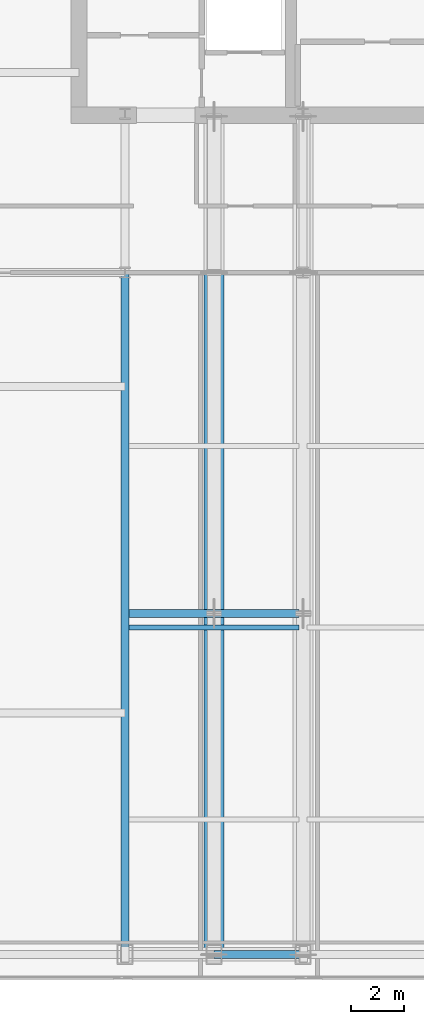
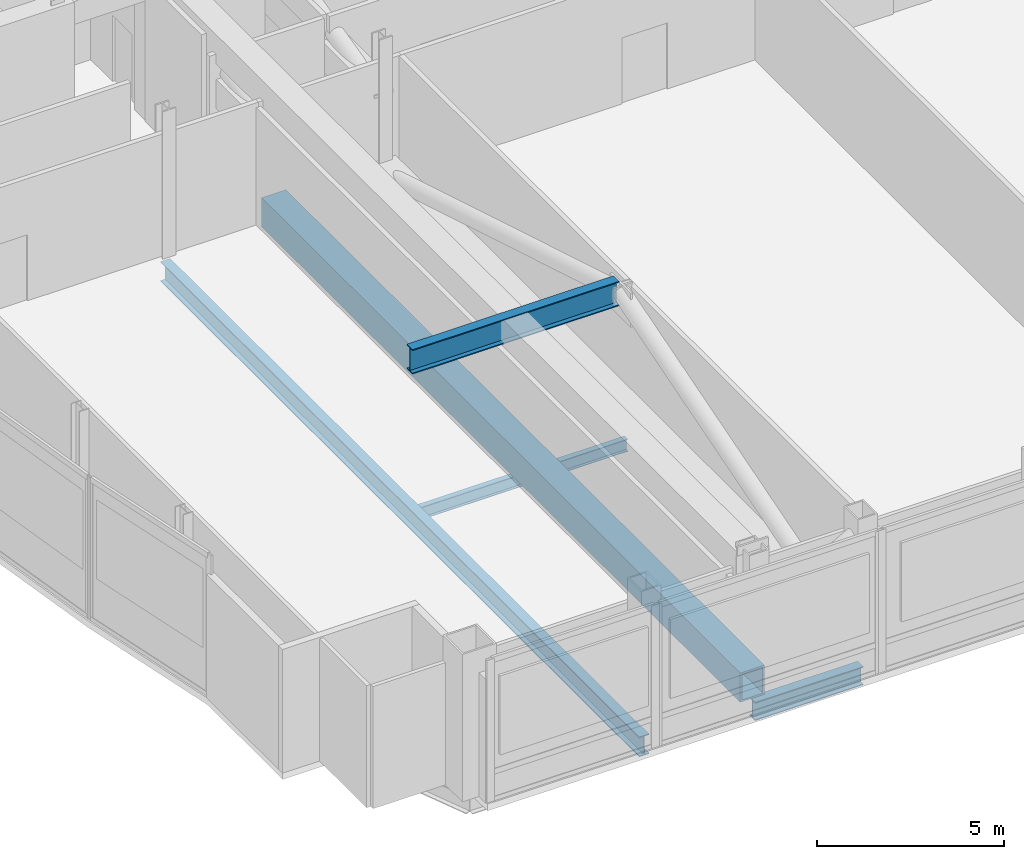
# One storey, part 8 of 32: 4 beams, 1 member.
"""IFC4 building model written with IfcOpenShell, lengths in metres."""

from ifc_helpers import new_model, si_unit, direction, frame, origin, origin_2d, place, context, subcontext, project, spatial, hollow_rectangle, i_section, extrude, material, material_profile, profile_set, type_object, element, save


model = new_model("IFC4")

# Units and contexts
model_context = context("Model", 3, precision=1e-05, world=origin(), true_north=direction((0.0, 1.0)))
body_context = subcontext(model_context, "Body", "Model", "MODEL_VIEW")
ifc_project = project(units=[si_unit("LENGTHUNIT", "METRE"), si_unit("AREAUNIT", "SQUARE_METRE"), si_unit("VOLUMEUNIT", "CUBIC_METRE"), si_unit("PLANEANGLEUNIT", "RADIAN"), si_unit("MASSUNIT", "GRAM", prefix="KILO")], contexts=[model_context])

# Site, building, storey
site_placement = place(None, origin())
site = spatial("IfcSite", under=ifc_project, at=site_placement, CompositionType="ELEMENT")
building_placement = place(site_placement, origin())
building = spatial("IfcBuilding", under=site, at=building_placement, Name="Khoronbel Lancet Exchange", CompositionType="ELEMENT")
storey_placement = place(building_placement, frame((0.0, 0.0, 257.0)))
storey = spatial("IfcBuildingStorey", under=building, at=storey_placement, Name="L66", CompositionType="ELEMENT", Elevation=257.0)

# Beams
ifc_material_1 = material(Name="Steel S355", Category="steel")
ifc_material_profile_1 = material_profile(ifc_material_1, i_section(OverallWidth=0.300048828125, OverallDepth=0.800048828125, WebThickness=0.017578125, FlangeThickness=0.032958984375, at=origin_2d()), Name="HEB 800")
ifc_profile_set_1 = profile_set([ifc_material_profile_1], Name="Steel S355")
beam_type_1 = type_object("IfcBeamType", Name="BM-BG2", PredefinedType="BEAM", material=ifc_profile_set_1)
beam_1_placement = place(storey_placement, frame((18.375, 22.925048828125, 4.239990234375), z_axis=(1.0, 0.0, 0.0), x_axis=(0.0, 1.0, 0.0)))
element("IfcBeam", 1, at=beam_1_placement, inside=storey, type_object=beam_type_1, Name="Outrigger apex collector beam L66-W", PredefinedType="BEAM", context=body_context, shape_type="SweptSolid", body=[
    extrude(i_section(OverallWidth=0.300048828125, OverallDepth=0.800048828125, WebThickness=0.017578125, FlangeThickness=0.032958984375, at=origin_2d()), origin(), (0.0, 0.0, 1.0), 6.375),
])
ifc_material_profile_2 = material_profile(ifc_material_1, i_section(OverallWidth=0.300048828125, OverallDepth=0.64990234375, WebThickness=0.01611328125, FlangeThickness=0.031005859375, at=origin_2d()), Name="HEB 650")
ifc_profile_set_2 = profile_set([ifc_material_profile_2], Name="Steel S355")
beam_type_2 = type_object("IfcBeamType", Name="BM-BG4", PredefinedType="BEAM", material=ifc_profile_set_2)
beam_2_placement = place(storey_placement, frame((18.22509765625, 10.14990234375, -0.544921875), z_axis=(0.0, 1.0, 0.0), x_axis=(-1.0, 0.0, 0.0)))
element("IfcBeam", 2, at=beam_2_placement, inside=storey, type_object=beam_type_2, Name="Level L66 south primary girder GS1", PredefinedType="BEAM", context=body_context, shape_type="SweptSolid", body=[
    extrude(i_section(OverallWidth=0.300048828125, OverallDepth=0.64990234375, WebThickness=0.01611328125, FlangeThickness=0.031005859375, at=origin_2d()), origin(), (0.0, 0.0, 1.0), 25.550048828125),
])
ifc_material_profile_3 = material_profile(ifc_material_1, i_section(OverallWidth=0.179931640625, OverallDepth=0.39990234375, WebThickness=0.008544921875, FlangeThickness=0.013427734375, at=origin_2d()), Name="IPE 400")
ifc_profile_set_3 = profile_set([ifc_material_profile_3], Name="Steel S355")
beam_type_3 = type_object("IfcBeamType", Name="BM-BJ5", PredefinedType="JOIST", material=ifc_profile_set_3)
beam_3_placement = place(storey_placement, frame((18.375, 22.39990234375, -0.419921875), z_axis=(1.0, 0.0, 0.0), x_axis=(0.0, 1.0, 0.0)))
element("IfcBeam", 3, at=beam_3_placement, inside=storey, type_object=beam_type_3, Name="Level L66 secondary composite joist J06", PredefinedType="JOIST", context=body_context, shape_type="SweptSolid", body=[
    extrude(i_section(OverallWidth=0.179931640625, OverallDepth=0.39990234375, WebThickness=0.008544921875, FlangeThickness=0.013427734375, at=origin_2d()), origin(), (0.0, 0.0, 1.0), 6.375),
])
ifc_material_profile_4 = material_profile(ifc_material_1, i_section(OverallWidth=0.300048828125, OverallDepth=0.60009765625, WebThickness=0.015380859375, FlangeThickness=0.030029296875, at=origin_2d()), Name="HEB 600")
ifc_profile_set_4 = profile_set([ifc_material_profile_4], Name="Steel S355")
beam_type_4 = type_object("IfcBeamType", Name="BM-BSP2", PredefinedType="SPANDREL", material=ifc_profile_set_4)
beam_4_placement = place(storey_placement, frame((21.5625, 10.14990234375, -0.52001953125), z_axis=(1.0, 0.0, 0.0), x_axis=(0.0, 1.0, 0.0)))
element("IfcBeam", 4, at=beam_4_placement, inside=storey, type_object=beam_type_4, Name="Level L66 perimeter spandrel beam SP03", PredefinedType="SPANDREL", context=body_context, shape_type="SweptSolid", body=[
    extrude(i_section(OverallWidth=0.300048828125, OverallDepth=0.60009765625, WebThickness=0.015380859375, FlangeThickness=0.030029296875, at=origin_2d()), origin(), (0.0, 0.0, 1.0), 3.33740234375),
])

# Member
ifc_material_2 = material(Name="Steel S460", Category="steel")
ifc_material_profile_5 = material_profile(ifc_material_2, hollow_rectangle(XDim=0.75, YDim=0.949951171875, WallThickness=0.054931640625, at=origin_2d()), Name="BOX 950x750x55")
ifc_profile_set_5 = profile_set([ifc_material_profile_5], Name="Steel S460")
member_type = type_object("IfcMemberType", Name="MEM-OCH2", PredefinedType="CHORD", material=ifc_profile_set_5)
member_placement = place(storey_placement, frame((21.5625, 10.14990234375, 0.300048828125), z_axis=(0.0, 1.0, 0.0), x_axis=(-1.0, 0.0, 0.0)))
element("IfcMember", 5, at=member_placement, inside=storey, type_object=member_type, Name="Outrigger truss bottom chord L66-1-BOT", PredefinedType="CHORD", context=body_context, shape_type="SweptSolid", body=[
    extrude(hollow_rectangle(XDim=0.75, YDim=0.949951171875, WallThickness=0.054931640625, at=origin_2d()), origin(), (0.0, 0.0, 1.0), 25.550048828125),
])

save(model, "model.ifc")
